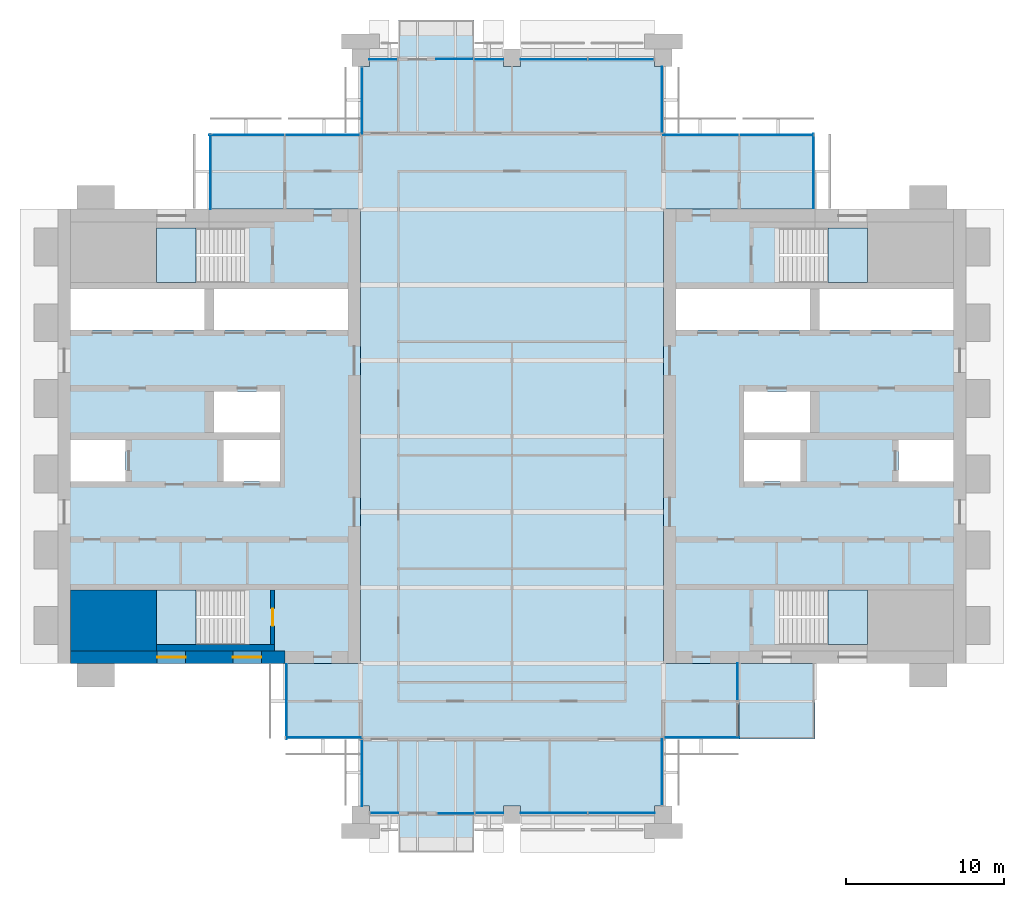
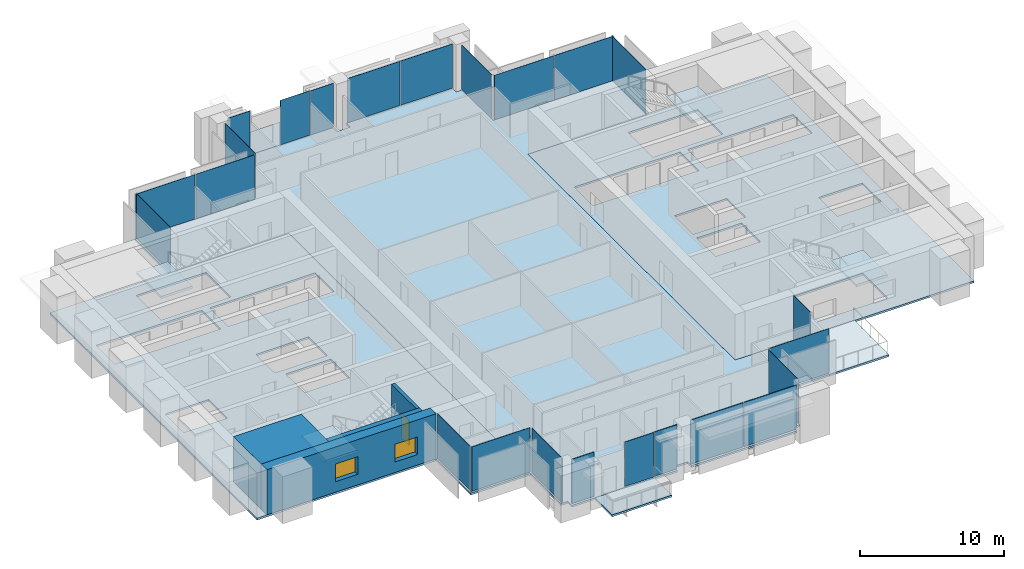
# One storey, part 7 of 14: 24 plates, 10 slabs, 4 walls, 2 windows, 1 door, 3 openings, 22 elements without a shape of their own.
"""IFC4 building model written with IfcOpenShell, lengths in metres."""

import ifcopenshell
import ifcopenshell.guid

model = None  # the IFC model being written
_history = None  # IfcOwnerHistory: only IFC2X3 demands one
_inside = {}  # id of a spatial element -> (the spatial element, [elements in it])
_under = {}  # id of a project, library or spatial element -> (it, [spatial elements below it])
_declared = {}  # id of a project -> (the project, [libraries it declares])
_typed = {}  # id of a type object -> (the type object, [elements of that type])
_made_of = {}  # id of a material, layer set ... -> (it, [elements and type objects made of it])


def new_model(schema):
    """Start an empty IFC model of exactly this schema.

    Asked for "IFC4X3", IfcOpenShell would pick the latest addendum, in which some entities
    have other attributes; the version numbers below select the first issue.
    IFC2X3 requires an IfcOwnerHistory on every rooted entity: one is made here for all.
    """
    global model, _history
    if schema == "IFC4X3":
        model = ifcopenshell.file(schema_version=(4, 3, 0, 0))
    else:
        model = ifcopenshell.file(schema=schema)
    _inside.clear()
    _under.clear()
    _declared.clear()
    _typed.clear()
    _made_of.clear()
    _history = None
    if model.schema == "IFC2X3":
        org = make("IfcOrganization", Name="unknown")
        user = make(
            "IfcPersonAndOrganization",
            ThePerson=make("IfcPerson", FamilyName="unknown"),
            TheOrganization=org,
        )
        app = make(
            "IfcApplication",
            ApplicationDeveloper=org,
            Version="unknown",
            ApplicationFullName="unknown",
            ApplicationIdentifier="unknown",
        )
        _history = make(
            "IfcOwnerHistory",
            OwningUser=user,
            OwningApplication=app,
            ChangeAction="ADDED",
            CreationDate=0,
        )
    return model


def make(cls, **values):
    """One entity of the class cls with the attributes given. An attribute that is None is left unset."""
    return model.create_entity(
        cls, **{name: value for name, value in values.items() if value is not None}
    )


def rooted(cls, **values):
    """An entity with a GlobalId (a new one), such as an element, a storey or a relation."""
    return make(cls, GlobalId=ifcopenshell.guid.new(), OwnerHistory=_history, **values)


def si_unit(unit_type, name, prefix=None):
    """IfcSIUnit, for example si_unit("LENGTHUNIT", "METRE", prefix="MILLI")."""
    return make("IfcSIUnit", UnitType=unit_type, Prefix=prefix, Name=name)


def assignment(units):
    """IfcUnitAssignment: the units of a project."""
    return None if units is None else make("IfcUnitAssignment", Units=units)


def point(xyz):
    """IfcCartesianPoint."""
    return None if xyz is None else make("IfcCartesianPoint", Coordinates=xyz)


def direction(xyz):
    """IfcDirection."""
    return None if xyz is None else make("IfcDirection", DirectionRatios=xyz)


def frame(location, z_axis=None, x_axis=None):
    """IfcAxis2Placement3D, a coordinate frame: its origin and axes. An axis left out is left unset."""
    return make(
        "IfcAxis2Placement3D",
        Location=point(location),
        Axis=direction(z_axis),
        RefDirection=direction(x_axis),
    )


def frame_2d(location, x_axis=None):
    """IfcAxis2Placement2D, a coordinate frame in the plane: its origin and x axis."""
    return make(
        "IfcAxis2Placement2D", Location=point(location), RefDirection=direction(x_axis)
    )


def origin():
    """The frame at (0, 0, 0) with its axes left unset."""
    return frame((0.0, 0.0, 0.0))


def origin_2d():
    """The frame at (0, 0) in the plane with its x axis left unset."""
    return frame_2d((0.0, 0.0))


def place(relative_to, where):
    """IfcLocalPlacement: puts the frame where relative to a parent placement (None: the world)."""
    return make(
        "IfcLocalPlacement", PlacementRelTo=relative_to, RelativePlacement=where
    )


def context(
    kind, dimensions, precision=None, world=None, true_north=None, identifier=None
):
    """IfcGeometricRepresentationContext, for example the 3D "Model" context."""
    return make(
        "IfcGeometricRepresentationContext",
        ContextIdentifier=identifier,
        ContextType=kind,
        CoordinateSpaceDimension=dimensions,
        Precision=precision,
        WorldCoordinateSystem=world,
        TrueNorth=true_north,
    )


def subcontext(parent, identifier, kind, view, scale=None):
    """IfcGeometricRepresentationSubContext, for example "Body" below "Model"."""
    return make(
        "IfcGeometricRepresentationSubContext",
        ContextIdentifier=identifier,
        ContextType=kind,
        ParentContext=parent,
        TargetScale=scale,
        TargetView=view,
    )


def project(units=None, contexts=None):
    """IfcProject with its units and contexts."""
    return rooted(
        "IfcProject",
        Name="project",
        RepresentationContexts=contexts,
        UnitsInContext=assignment(units),
    )


def spatial(cls, under=None, at=None, **own):
    """A site, building, storey or space (cls), placed at a placement, below another one or the project."""
    s = rooted(cls, ObjectPlacement=at, **own)
    if under is not None:
        _under.setdefault(under.id(), (under, []))[1].append(s)
    return s


def polyline(points):
    """IfcPolyline through the points."""
    return make("IfcPolyline", Points=[point(p) for p in points])


def profile(cls, at=None, kind="AREA", **sizes):
    """A parametric profile (cls). Its sizes go by their IFC names, for example OverallWidth=200.0."""
    return make(cls, ProfileType=kind, Position=at, **sizes)


def rectangle(**sizes):
    """IfcRectangleProfileDef."""
    return profile("IfcRectangleProfileDef", **sizes)


def outline(outer, holes=None, kind="AREA"):
    """IfcArbitraryClosedProfileDef: a profile drawn as a closed curve; with holes, ...WithVoids."""
    if holes is None:
        return make("IfcArbitraryClosedProfileDef", ProfileType=kind, OuterCurve=outer)
    return make(
        "IfcArbitraryProfileDefWithVoids",
        ProfileType=kind,
        OuterCurve=outer,
        InnerCurves=holes,
    )


def extrude(swept, where, along, depth):
    """IfcExtrudedAreaSolid: the profile swept, set in the frame where, extruded along a direction by depth."""
    return make(
        "IfcExtrudedAreaSolid",
        SweptArea=swept,
        Position=where,
        ExtrudedDirection=direction(along),
        Depth=depth,
    )


def shape(context_of_items, identifier, shape_type, items):
    """IfcShapeRepresentation: the items that make up one representation, for example the "Body"."""
    return make(
        "IfcShapeRepresentation",
        ContextOfItems=context_of_items,
        RepresentationIdentifier=identifier,
        RepresentationType=shape_type,
        Items=items,
    )


def material(Name=None, Category=None):
    """IfcMaterial."""
    return make("IfcMaterial", Name=Name, Category=Category)


def layer(
    of_material, thickness, ventilated=None, Name=None, Category=None, Priority=None
):
    """IfcMaterialLayer: one layer of a wall or slab, of a material (None: an air gap)."""
    return make(
        "IfcMaterialLayer",
        Material=of_material,
        LayerThickness=thickness,
        IsVentilated=ventilated,
        Name=Name,
        Category=Category,
        Priority=Priority,
    )


def layer_set(layers, Name=None):
    """IfcMaterialLayerSet."""
    return make("IfcMaterialLayerSet", MaterialLayers=layers, LayerSetName=Name)


def made_of(thing, what):
    """Note that an element or type object is made of a material, layer set ...; save() writes the relation."""
    if what is not None:
        _made_of.setdefault(what.id(), (what, []))[1].append(thing)
    return thing


def type_object(cls, material=None, **own):
    """A type object (cls), such as IfcWallType, which elements share."""
    return made_of(rooted(cls, **own), material)


def element(
    cls,
    number,
    at=None,
    inside=None,
    cuts=None,
    type_object=None,
    material=None,
    context=None,
    identifier="Body",
    shape_type=None,
    held_by="IfcProductDefinitionShape",
    body=None,
    shapes=None,
    **own,
):
    """One element of the class cls, such as IfcWall. Its Tag is "e" and its number.

    at: its placement. inside: the storey or other place that contains it. cuts: it is an
    opening in that element (IfcRelVoidsElement). A single representation is given by context,
    identifier, shape_type and body (its items); several are given by shapes. held_by: the class
    of the entity that holds the representations. save() writes the other relations.
    """
    e = rooted(cls, Tag="e%d" % number, ObjectPlacement=at, **own)
    if body is not None:
        shapes = [shape(context, identifier, shape_type, body)]
    if shapes is not None:
        e.Representation = make(held_by, Representations=shapes)
    if inside is not None:
        _inside.setdefault(inside.id(), (inside, []))[1].append(e)
    if cuts is not None:
        rooted(
            "IfcRelVoidsElement", RelatingBuildingElement=cuts, RelatedOpeningElement=e
        )
    if type_object is not None:
        _typed.setdefault(type_object.id(), (type_object, []))[1].append(e)
    return made_of(e, material)


def fill(opening, filler):
    """IfcRelFillsElement: the door or window that sits in an opening."""
    return rooted(
        "IfcRelFillsElement",
        RelatingOpeningElement=opening,
        RelatedBuildingElement=filler,
    )


def aggregate(whole, parts):
    """IfcRelAggregates: a whole, such as a stair, and the parts it consists of."""
    return rooted("IfcRelAggregates", RelatingObject=whole, RelatedObjects=parts)


def save(model, path):
    """Write the relations noted so far, then the file.

    IfcRelAggregates (storeys below a building ...), IfcRelContainedInSpatialStructure (elements
    in a storey), IfcRelDefinesByType, IfcRelAssociatesMaterial and IfcRelDeclares: one each for
    every whole, place, type object, material and project.
    """
    for whole, parts in _under.values():
        aggregate(whole, parts)
    for where, things in _inside.values():
        rooted(
            "IfcRelContainedInSpatialStructure",
            RelatedElements=things,
            RelatingStructure=where,
        )
    for kind, things in _typed.values():
        rooted("IfcRelDefinesByType", RelatedObjects=things, RelatingType=kind)
    for what, things in _made_of.values():
        rooted("IfcRelAssociatesMaterial", RelatedObjects=things, RelatingMaterial=what)
    for by, libraries in _declared.values():
        rooted("IfcRelDeclares", RelatingContext=by, RelatedDefinitions=libraries)
    model.write(path)


model = new_model("IFC4")

# Units and contexts
model_context = context("Model", 3, precision=1e-05, world=origin(), true_north=direction((0.0, 1.0)))
body_context = subcontext(model_context, "Body", "Model", "MODEL_VIEW")
ifc_project = project(units=[si_unit("LENGTHUNIT", "METRE"), si_unit("AREAUNIT", "SQUARE_METRE"), si_unit("VOLUMEUNIT", "CUBIC_METRE"), si_unit("PLANEANGLEUNIT", "RADIAN"), si_unit("MASSUNIT", "GRAM", prefix="KILO")], contexts=[model_context])

# Site, building, storey
site_placement = place(None, origin())
site = spatial("IfcSite", under=ifc_project, at=site_placement, CompositionType="ELEMENT")
building_placement = place(site_placement, origin())
building = spatial("IfcBuilding", under=site, at=building_placement, Name="Baori Bourse Tower", CompositionType="ELEMENT")
storey_placement = place(building_placement, frame((0.0, 0.0, 233.199951171875)))
storey = spatial("IfcBuildingStorey", under=building, at=storey_placement, Name="L51", CompositionType="ELEMENT", Elevation=233.199951171875)

# Slabs
ifc_material_1 = material(Name="Concrete f'c 40 MPa", Category="concrete")
ifc_layer_1 = layer(ifc_material_1, 0.159912109375)
ifc_layer_set_1 = layer_set([ifc_layer_1], Name="BL2 Balcony slab 160")
slab_type_1 = type_object("IfcSlabType", Name="BL2 Balcony slab 160", PredefinedType="FLOOR", material=ifc_layer_set_1)
slab_1_placement = place(storey_placement, frame((0.0, 0.0, -0.159912109375)))
element("IfcSlab", 1, at=slab_1_placement, inside=storey, type_object=slab_type_1, Name="Balcony slab L51 S", PredefinedType="FLOOR", context=body_context, shape_type="SweptSolid", body=[
    extrude(outline(polyline([(21.60009765625, 0.0), (21.60009765625, -2.39990234375), (26.39990234375, -2.39990234375), (26.39990234375, 0.0), (21.60009765625, 0.0)])), origin(), (0.0, 0.0, 1.0), 0.159912109375),
])
slab_2_placement = place(storey_placement, frame((0.0, 0.0, -0.159912109375)))
element("IfcSlab", 2, at=slab_2_placement, inside=storey, type_object=slab_type_1, Name="Balcony slab L51 N", PredefinedType="FLOOR", context=body_context, shape_type="SweptSolid", body=[
    extrude(outline(polyline([(21.60009765625, 48.0), (26.39990234375, 48.0), (26.39990234375, 50.39990234375), (21.60009765625, 50.39990234375), (21.60009765625, 48.0)])), origin(), (0.0, 0.0, 1.0), 0.159912109375),
])

# Curtain wall, plate
ifc_material_2 = material(Name="Pale anodised aluminium", Category="aluminium")
curtain_wall_type_1 = type_object("IfcCurtainWallType", Name="CW2 Curtain wall", PredefinedType="NOTDEFINED", material=ifc_material_2)
curtain_wall_1_placement = place(storey_placement, origin())
curtain_wall_1 = element("IfcCurtainWall", 3, at=curtain_wall_1_placement, inside=storey, type_object=curtain_wall_type_1, Name="Curtain wall CW2 L51 1", PredefinedType="NOTDEFINED")
ifc_material_3 = material(Name="Clear glass", Category="glass")
ifc_layer_2 = layer(ifc_material_3, 0.030029296875)
ifc_layer_set_2 = layer_set([ifc_layer_2], Name="CW2 Curtain wall panel")
plate_type_1 = type_object("IfcPlateType", Name="CW2 Curtain wall panel", PredefinedType="CURTAIN_PANEL", material=ifc_layer_set_2)
plate_1_placement = place(storey_placement, frame((47.909912109375, 40.827392578125, 0.070068359375), z_axis=(0.0, 0.0, 1.0), x_axis=(0.0, 1.0, 0.0)))
plate_1 = element("IfcPlate", 4, at=plate_1_placement, type_object=plate_type_1, Name="Curtain wall CW2 panel", PredefinedType="CURTAIN_PANEL", context=body_context, shape_type="SweptSolid", body=[
    extrude(rectangle(XDim=4.7451171875, YDim=0.030029296875, at=origin_2d()), origin(), (0.0, 0.0, 1.0), 3.77001953125),
])
aggregate(curtain_wall_1, [plate_1])

# Curtain wall, plates
curtain_wall_2_placement = place(storey_placement, origin())
curtain_wall_2 = element("IfcCurtainWall", 5, at=curtain_wall_2_placement, inside=storey, type_object=curtain_wall_type_1, Name="Curtain wall CW2 L51 2", PredefinedType="NOTDEFINED")
plate_2_placement = place(storey_placement, frame((45.586181640625, 43.110107421875, 0.070068359375), z_axis=(0.0, 0.0, 1.0), x_axis=(-1.0, 0.0, 0.0)))
plate_2 = element("IfcPlate", 6, at=plate_2_placement, type_object=plate_type_1, Name="Curtain wall CW2 panel", PredefinedType="CURTAIN_PANEL", context=body_context, shape_type="SweptSolid", body=[
    extrude(rectangle(XDim=4.717529296875, YDim=0.030029296875, at=origin_2d()), origin(), (0.0, 0.0, 1.0), 3.77001953125),
])
plate_3_placement = place(storey_placement, frame((40.7861328125, 43.110107421875, 0.070068359375), z_axis=(0.0, 0.0, 1.0), x_axis=(-1.0, 0.0, 0.0)))
plate_3 = element("IfcPlate", 7, at=plate_3_placement, type_object=plate_type_1, Name="Curtain wall CW2 panel", PredefinedType="CURTAIN_PANEL", context=body_context, shape_type="SweptSolid", body=[
    extrude(rectangle(XDim=4.7724609375, YDim=0.030029296875, at=origin_2d()), origin(), (0.0, 0.0, 1.0), 3.77001953125),
])
aggregate(curtain_wall_2, [plate_2, plate_3])

# Curtain wall, plate
curtain_wall_3_placement = place(storey_placement, origin())
curtain_wall_3 = element("IfcCurtainWall", 8, at=curtain_wall_3_placement, inside=storey, type_object=curtain_wall_type_1, Name="Curtain wall CW2 L51 3", PredefinedType="NOTDEFINED")
plate_4_placement = place(storey_placement, frame((38.31005859375, 45.3525390625, 0.070068359375), z_axis=(0.0, 0.0, 1.0), x_axis=(0.0, 1.0, 0.0)))
plate_4 = element("IfcPlate", 9, at=plate_4_placement, type_object=plate_type_1, Name="Curtain wall CW2 panel", PredefinedType="CURTAIN_PANEL", context=body_context, shape_type="SweptSolid", body=[
    extrude(rectangle(XDim=4.195068359375, YDim=0.030029296875, at=origin_2d()), origin(), (0.0, 0.0, 1.0), 3.77001953125),
])
aggregate(curtain_wall_3, [plate_4])

curtain_wall_4_placement = place(storey_placement, origin())
curtain_wall_4 = element("IfcCurtainWall", 10, at=curtain_wall_4_placement, inside=storey, type_object=curtain_wall_type_1, Name="Curtain wall CW2 L51 7", PredefinedType="NOTDEFINED")
plate_5_placement = place(storey_placement, frame((19.2900390625, 45.297607421875, 0.070068359375), z_axis=(0.0, 0.0, 1.0), x_axis=(0.0, -1.0, 0.0)))
plate_5 = element("IfcPlate", 11, at=plate_5_placement, type_object=plate_type_1, Name="Curtain wall CW2 panel", PredefinedType="CURTAIN_PANEL", context=body_context, shape_type="SweptSolid", body=[
    extrude(rectangle(XDim=4.195068359375, YDim=0.030029296875, at=origin_2d()), origin(), (0.0, 0.0, 1.0), 3.77001953125),
])
aggregate(curtain_wall_4, [plate_5])

# Curtain wall, plates
curtain_wall_5_placement = place(storey_placement, origin())
curtain_wall_5 = element("IfcCurtainWall", 12, at=curtain_wall_5_placement, inside=storey, type_object=curtain_wall_type_1, Name="Curtain wall CW2 L51 8", PredefinedType="NOTDEFINED")
plate_6_placement = place(storey_placement, frame((16.7861328125, 43.110107421875, 0.070068359375), z_axis=(0.0, 0.0, 1.0), x_axis=(-1.0, 0.0, 0.0)))
plate_6 = element("IfcPlate", 13, at=plate_6_placement, type_object=plate_type_1, Name="Curtain wall CW2 panel", PredefinedType="CURTAIN_PANEL", context=body_context, shape_type="SweptSolid", body=[
    extrude(rectangle(XDim=4.717529296875, YDim=0.030029296875, at=origin_2d()), origin(), (0.0, 0.0, 1.0), 3.77001953125),
])
plate_7_placement = place(storey_placement, frame((11.986328125, 43.110107421875, 0.070068359375), z_axis=(0.0, 0.0, 1.0), x_axis=(-1.0, 0.0, 0.0)))
plate_7 = element("IfcPlate", 14, at=plate_7_placement, type_object=plate_type_1, Name="Curtain wall CW2 panel", PredefinedType="CURTAIN_PANEL", context=body_context, shape_type="SweptSolid", body=[
    extrude(rectangle(XDim=4.7724609375, YDim=0.030029296875, at=origin_2d()), origin(), (0.0, 0.0, 1.0), 3.77001953125),
])
aggregate(curtain_wall_5, [plate_6, plate_7])

# Curtain wall, plate
curtain_wall_6_placement = place(storey_placement, origin())
curtain_wall_6 = element("IfcCurtainWall", 15, at=curtain_wall_6_placement, inside=storey, type_object=curtain_wall_type_1, Name="Curtain wall CW2 L51 9", PredefinedType="NOTDEFINED")
plate_8_placement = place(storey_placement, frame((9.68994140625, 40.7724609375, 0.070068359375), z_axis=(0.0, 0.0, 1.0), x_axis=(0.0, -1.0, 0.0)))
plate_8 = element("IfcPlate", 16, at=plate_8_placement, type_object=plate_type_1, Name="Curtain wall CW2 panel", PredefinedType="CURTAIN_PANEL", context=body_context, shape_type="SweptSolid", body=[
    extrude(rectangle(XDim=4.7451171875, YDim=0.030029296875, at=origin_2d()), origin(), (0.0, 0.0, 1.0), 3.77001953125),
])
aggregate(curtain_wall_6, [plate_8])

curtain_wall_7_placement = place(storey_placement, origin())
curtain_wall_7 = element("IfcCurtainWall", 17, at=curtain_wall_7_placement, inside=storey, type_object=curtain_wall_type_1, Name="Curtain wall CW2 L51 10", PredefinedType="NOTDEFINED")
plate_9_placement = place(storey_placement, frame((14.489990234375, 7.172607421875, 0.070068359375), z_axis=(0.0, 0.0, 1.0), x_axis=(0.0, -1.0, 0.0)))
plate_9 = element("IfcPlate", 18, at=plate_9_placement, type_object=plate_type_1, Name="Curtain wall CW2 panel", PredefinedType="CURTAIN_PANEL", context=body_context, shape_type="SweptSolid", body=[
    extrude(rectangle(XDim=4.7451171875, YDim=0.030029296875, at=origin_2d()), origin(), (0.0, 0.0, 1.0), 3.77001953125),
])
aggregate(curtain_wall_7, [plate_9])

curtain_wall_8_placement = place(storey_placement, origin())
curtain_wall_8 = element("IfcCurtainWall", 19, at=curtain_wall_8_placement, inside=storey, type_object=curtain_wall_type_1, Name="Curtain wall CW2 L51 11", PredefinedType="NOTDEFINED")
plate_10_placement = place(storey_placement, frame((16.827392578125, 4.889892578125, 0.070068359375), z_axis=(0.0, 0.0, 1.0), x_axis=(1.0, 0.0, 0.0)))
plate_10 = element("IfcPlate", 20, at=plate_10_placement, type_object=plate_type_1, Name="Curtain wall CW2 panel", PredefinedType="CURTAIN_PANEL", context=body_context, shape_type="SweptSolid", body=[
    extrude(rectangle(XDim=4.7451171875, YDim=0.030029296875, at=origin_2d()), origin(), (0.0, 0.0, 1.0), 3.77001953125),
])
aggregate(curtain_wall_8, [plate_10])

curtain_wall_9_placement = place(storey_placement, origin())
curtain_wall_9 = element("IfcCurtainWall", 21, at=curtain_wall_9_placement, inside=storey, type_object=curtain_wall_type_1, Name="Curtain wall CW2 L51 12", PredefinedType="NOTDEFINED")
plate_11_placement = place(storey_placement, frame((19.2900390625, 2.6474609375, 0.070068359375), z_axis=(0.0, 0.0, 1.0), x_axis=(0.0, -1.0, 0.0)))
plate_11 = element("IfcPlate", 22, at=plate_11_placement, type_object=plate_type_1, Name="Curtain wall CW2 panel", PredefinedType="CURTAIN_PANEL", context=body_context, shape_type="SweptSolid", body=[
    extrude(rectangle(XDim=4.195068359375, YDim=0.030029296875, at=origin_2d()), origin(), (0.0, 0.0, 1.0), 3.77001953125),
])
aggregate(curtain_wall_9, [plate_11])

curtain_wall_10_placement = place(storey_placement, origin())
curtain_wall_10 = element("IfcCurtainWall", 23, at=curtain_wall_10_placement, inside=storey, type_object=curtain_wall_type_1, Name="Curtain wall CW2 L51 16", PredefinedType="NOTDEFINED")
plate_12_placement = place(storey_placement, frame((38.31005859375, 2.702392578125, 0.070068359375), z_axis=(0.0, 0.0, 1.0), x_axis=(0.0, 1.0, 0.0)))
plate_12 = element("IfcPlate", 24, at=plate_12_placement, type_object=plate_type_1, Name="Curtain wall CW2 panel", PredefinedType="CURTAIN_PANEL", context=body_context, shape_type="SweptSolid", body=[
    extrude(rectangle(XDim=4.195068359375, YDim=0.030029296875, at=origin_2d()), origin(), (0.0, 0.0, 1.0), 3.77001953125),
])
aggregate(curtain_wall_10, [plate_12])

curtain_wall_11_placement = place(storey_placement, origin())
curtain_wall_11 = element("IfcCurtainWall", 25, at=curtain_wall_11_placement, inside=storey, type_object=curtain_wall_type_1, Name="Curtain wall CW2 L51 17", PredefinedType="NOTDEFINED")
plate_13_placement = place(storey_placement, frame((40.827392578125, 4.889892578125, 0.070068359375), z_axis=(0.0, 0.0, 1.0), x_axis=(1.0, 0.0, 0.0)))
plate_13 = element("IfcPlate", 26, at=plate_13_placement, type_object=plate_type_1, Name="Curtain wall CW2 panel", PredefinedType="CURTAIN_PANEL", context=body_context, shape_type="SweptSolid", body=[
    extrude(rectangle(XDim=4.7451171875, YDim=0.030029296875, at=origin_2d()), origin(), (0.0, 0.0, 1.0), 3.77001953125),
])
aggregate(curtain_wall_11, [plate_13])

curtain_wall_12_placement = place(storey_placement, origin())
curtain_wall_12 = element("IfcCurtainWall", 27, at=curtain_wall_12_placement, inside=storey, type_object=curtain_wall_type_1, Name="Curtain wall CW2 L51 18", PredefinedType="NOTDEFINED")
plate_14_placement = place(storey_placement, frame((43.110107421875, 8.427490234375, 0.070068359375), z_axis=(0.0, 0.0, 1.0), x_axis=(0.0, 1.0, 0.0)))
plate_14 = element("IfcPlate", 28, at=plate_14_placement, type_object=plate_type_1, Name="Curtain wall CW2 panel", PredefinedType="CURTAIN_PANEL", context=body_context, shape_type="SweptSolid", body=[
    extrude(rectangle(XDim=2.344970703125, YDim=0.030029296875, at=origin_2d()), origin(), (0.0, 0.0, 1.0), 3.77001953125),
])
aggregate(curtain_wall_12, [plate_14])

# Curtain wall, plates
ifc_material_4 = material(Name="Pale anodised aluminium", Category="aluminium")
curtain_wall_type_2 = type_object("IfcCurtainWallType", Name="CW5 Curtain wall", PredefinedType="NOTDEFINED", material=ifc_material_4)
curtain_wall_13_placement = place(storey_placement, origin())
curtain_wall_13 = element("IfcCurtainWall", 29, at=curtain_wall_13_placement, inside=storey, type_object=curtain_wall_type_2, Name="Curtain wall CW5 L51 4", PredefinedType="NOTDEFINED")
ifc_material_5 = material(Name="Clear glass", Category="glass")
ifc_layer_3 = layer(ifc_material_5, 0.035888671875)
ifc_layer_set_3 = layer_set([ifc_layer_3], Name="CW5 Curtain wall panel")
plate_type_2 = type_object("IfcPlateType", Name="CW5 Curtain wall panel", PredefinedType="CURTAIN_PANEL", material=ifc_layer_set_3)
plate_15_placement = place(storey_placement, frame((35.708740234375, 47.889892578125, 0.085205078125), z_axis=(0.0, 0.0, 1.0), x_axis=(-1.0, 0.0, 0.0)))
plate_15 = element("IfcPlate", 30, at=plate_15_placement, type_object=plate_type_2, Name="Curtain wall CW5 panel", PredefinedType="CURTAIN_PANEL", context=body_context, shape_type="SweptSolid", body=[
    extrude(rectangle(XDim=4.152587890625, YDim=0.035888671875, at=origin_2d()), origin(), (0.0, 0.0, 1.0), 3.7548828125),
])
plate_16_placement = place(storey_placement, frame((31.458740234375, 47.889892578125, 0.085205078125), z_axis=(0.0, 0.0, 1.0), x_axis=(-1.0, 0.0, 0.0)))
plate_16 = element("IfcPlate", 31, at=plate_16_placement, type_object=plate_type_2, Name="Curtain wall CW5 panel", PredefinedType="CURTAIN_PANEL", context=body_context, shape_type="SweptSolid", body=[
    extrude(rectangle(XDim=4.217529296875, YDim=0.035888671875, at=origin_2d()), origin(), (0.0, 0.0, 1.0), 3.7548828125),
])
plate_17_placement = place(storey_placement, frame((27.324951171875, 47.889892578125, 0.085205078125), z_axis=(0.0, 0.0, 1.0), x_axis=(-1.0, 0.0, 0.0)))
plate_17 = element("IfcPlate", 32, at=plate_17_placement, type_object=plate_type_2, Name="Curtain wall CW5 panel", PredefinedType="CURTAIN_PANEL", context=body_context, shape_type="SweptSolid", body=[
    extrude(rectangle(XDim=1.85009765625, YDim=0.035888671875, at=origin_2d()), origin(), (0.0, 0.0, 1.0), 3.7548828125),
])
aggregate(curtain_wall_13, [plate_15, plate_16, plate_17])

# Curtain wall, plate
curtain_wall_14_placement = place(storey_placement, origin())
curtain_wall_14 = element("IfcCurtainWall", 33, at=curtain_wall_14_placement, inside=storey, type_object=curtain_wall_type_2, Name="Curtain wall CW5 L51 6", PredefinedType="NOTDEFINED")
plate_18_placement = place(storey_placement, frame((20.642578125, 47.889892578125, 0.085205078125), z_axis=(0.0, 0.0, 1.0), x_axis=(-1.0, 0.0, 0.0)))
plate_18 = element("IfcPlate", 34, at=plate_18_placement, type_object=plate_type_2, Name="Curtain wall CW5 panel", PredefinedType="CURTAIN_PANEL", context=body_context, shape_type="SweptSolid", body=[
    extrude(rectangle(XDim=1.784912109375, YDim=0.035888671875, at=origin_2d()), origin(), (0.0, 0.0, 1.0), 3.7548828125),
])
aggregate(curtain_wall_14, [plate_18])

curtain_wall_15_placement = place(storey_placement, origin())
curtain_wall_15 = element("IfcCurtainWall", 35, at=curtain_wall_15_placement, inside=storey, type_object=curtain_wall_type_2, Name="Curtain wall CW5 L51 13", PredefinedType="NOTDEFINED")
plate_19_placement = place(storey_placement, frame((20.70751953125, 0.110107421875, 0.085205078125), z_axis=(0.0, 0.0, 1.0), x_axis=(1.0, 0.0, 0.0)))
plate_19 = element("IfcPlate", 36, at=plate_19_placement, type_object=plate_type_2, Name="Curtain wall CW5 panel", PredefinedType="CURTAIN_PANEL", context=body_context, shape_type="SweptSolid", body=[
    extrude(rectangle(XDim=1.784912109375, YDim=0.035888671875, at=origin_2d()), origin(), (0.0, 0.0, 1.0), 3.7548828125),
])
aggregate(curtain_wall_15, [plate_19])

# Curtain wall, plates
curtain_wall_16_placement = place(storey_placement, origin())
curtain_wall_16 = element("IfcCurtainWall", 37, at=curtain_wall_16_placement, inside=storey, type_object=curtain_wall_type_2, Name="Curtain wall CW5 L51 15", PredefinedType="NOTDEFINED")
plate_20_placement = place(storey_placement, frame((27.357421875, 0.110107421875, 0.085205078125), z_axis=(0.0, 0.0, 1.0), x_axis=(1.0, 0.0, 0.0)))
plate_20 = element("IfcPlate", 38, at=plate_20_placement, type_object=plate_type_2, Name="Curtain wall CW5 panel", PredefinedType="CURTAIN_PANEL", context=body_context, shape_type="SweptSolid", body=[
    extrude(rectangle(XDim=1.784912109375, YDim=0.035888671875, at=origin_2d()), origin(), (0.0, 0.0, 1.0), 3.7548828125),
])
plate_21_placement = place(storey_placement, frame((31.458740234375, 0.110107421875, 0.085205078125), z_axis=(0.0, 0.0, 1.0), x_axis=(1.0, 0.0, 0.0)))
plate_21 = element("IfcPlate", 39, at=plate_21_placement, type_object=plate_type_2, Name="Curtain wall CW5 panel", PredefinedType="CURTAIN_PANEL", context=body_context, shape_type="SweptSolid", body=[
    extrude(rectangle(XDim=4.217529296875, YDim=0.035888671875, at=origin_2d()), origin(), (0.0, 0.0, 1.0), 3.7548828125),
])
plate_22_placement = place(storey_placement, frame((35.7412109375, 0.110107421875, 0.085205078125), z_axis=(0.0, 0.0, 1.0), x_axis=(1.0, 0.0, 0.0)))
plate_22 = element("IfcPlate", 40, at=plate_22_placement, type_object=plate_type_2, Name="Curtain wall CW5 panel", PredefinedType="CURTAIN_PANEL", context=body_context, shape_type="SweptSolid", body=[
    extrude(rectangle(XDim=4.217529296875, YDim=0.035888671875, at=origin_2d()), origin(), (0.0, 0.0, 1.0), 3.7548828125),
])
aggregate(curtain_wall_16, [plate_20, plate_21, plate_22])

# Curtain wall, plate
ifc_material_6 = material(Name="Pale anodised aluminium", Category="aluminium")
curtain_wall_type_3 = type_object("IfcCurtainWallType", Name="CW6 Curtain wall", PredefinedType="NOTDEFINED", material=ifc_material_6)
curtain_wall_17_placement = place(storey_placement, origin())
curtain_wall_17 = element("IfcCurtainWall", 41, at=curtain_wall_17_placement, inside=storey, type_object=curtain_wall_type_3, Name="Curtain wall CW6 L51 5", PredefinedType="NOTDEFINED")
ifc_material_7 = material(Name="Clear glass", Category="glass")
ifc_layer_4 = layer(ifc_material_7, 0.028076171875)
ifc_layer_set_4 = layer_set([ifc_layer_4], Name="CW6 Curtain wall panel")
plate_type_3 = type_object("IfcPlateType", Name="CW6 Curtain wall panel", PredefinedType="CURTAIN_PANEL", material=ifc_layer_set_4)
plate_23_placement = place(storey_placement, frame((25.175048828125, 47.925048828125, 0.065185546875), z_axis=(0.0, 0.0, 1.0), x_axis=(-1.0, 0.0, 0.0)))
plate_23 = element("IfcPlate", 42, at=plate_23_placement, type_object=plate_type_3, Name="Curtain wall CW6 panel", PredefinedType="CURTAIN_PANEL", context=body_context, shape_type="SweptSolid", body=[
    extrude(rectangle(XDim=2.35009765625, YDim=0.028076171875, at=origin_2d()), origin(), (0.0, 0.0, 1.0), 3.77490234375),
])
aggregate(curtain_wall_17, [plate_23])

curtain_wall_18_placement = place(storey_placement, origin())
curtain_wall_18 = element("IfcCurtainWall", 43, at=curtain_wall_18_placement, inside=storey, type_object=curtain_wall_type_3, Name="Curtain wall CW6 L51 14", PredefinedType="NOTDEFINED")
plate_24_placement = place(storey_placement, frame((25.22509765625, 0.074951171875, 0.065185546875), z_axis=(0.0, 0.0, 1.0), x_axis=(1.0, 0.0, 0.0)))
plate_24 = element("IfcPlate", 44, at=plate_24_placement, type_object=plate_type_3, Name="Curtain wall CW6 panel", PredefinedType="CURTAIN_PANEL", context=body_context, shape_type="SweptSolid", body=[
    extrude(rectangle(XDim=2.35009765625, YDim=0.028076171875, at=origin_2d()), origin(), (0.0, 0.0, 1.0), 3.77490234375),
])
aggregate(curtain_wall_18, [plate_24])

# Slabs
ifc_material_8 = material(Name="Concrete f'c 50 MPa", Category="concrete")
ifc_layer_5 = layer(ifc_material_8, 0.159912109375)
ifc_layer_set_5 = layer_set([ifc_layer_5], Name="Core slab 160")
slab_type_2 = type_object("IfcSlabType", Name="Core slab 160", PredefinedType="FLOOR", material=ifc_layer_set_5)
slab_3_placement = place(storey_placement, frame((0.0, 0.0, -0.159912109375)))
element("IfcSlab", 45, at=slab_3_placement, inside=storey, type_object=slab_type_2, Name="Core floor slab W01", PredefinedType="FLOOR", context=body_context, shape_type="SweptSolid", body=[
    extrude(outline(polyline([(19.199951171875, 38.39990234375), (0.0, 38.39990234375), (0.0, 9.60009765625), (19.199951171875, 9.60009765625), (19.199951171875, 38.39990234375)]), holes=[polyline([(9.89990234375, 33.35009765625), (18.39990234375, 33.35009765625), (18.39990234375, 30.75), (9.89990234375, 30.75), (9.89990234375, 33.35009765625)]), polyline([(10.5, 21.14990234375), (10.5, 23.75), (14.10009765625, 23.75), (14.10009765625, 21.14990234375), (10.5, 21.14990234375)]), polyline([(14.10009765625, 24.25), (9.89990234375, 24.25), (9.89990234375, 26.85009765625), (14.10009765625, 26.85009765625), (14.10009765625, 24.25)]), polyline([(6.25, 14.25), (11.84912109375, 14.25), (11.84912109375, 10.800048828125), (6.25, 10.800048828125), (6.25, 14.25)]), polyline([(11.84912109375, 37.199951171875), (11.84912109375, 33.75), (6.25, 33.75), (6.25, 37.199951171875), (11.84912109375, 37.199951171875)]), polyline([(0.800048828125, 30.75), (0.800048828125, 33.35009765625), (9.300048828125, 33.35009765625), (9.300048828125, 30.75), (0.800048828125, 30.75)]), polyline([(4.300048828125, 23.75), (4.300048828125, 21.14990234375), (0.800048828125, 21.14990234375), (0.800048828125, 23.75), (4.300048828125, 23.75)])]), origin(), (0.0, 0.0, 1.0), 0.159912109375),
])
slab_4_placement = place(storey_placement, frame((0.0, 0.0, -0.159912109375)))
element("IfcSlab", 46, at=slab_4_placement, inside=storey, type_object=slab_type_2, Name="Core floor slab E01", PredefinedType="FLOOR", context=body_context, shape_type="SweptSolid", body=[
    extrude(outline(polyline([(57.60009765625, 9.60009765625), (57.60009765625, 38.39990234375), (38.39990234375, 38.39990234375), (38.39990234375, 9.60009765625), (57.60009765625, 9.60009765625)]), holes=[polyline([(48.300048828125, 33.35009765625), (56.800048828125, 33.35009765625), (56.800048828125, 30.75), (48.300048828125, 30.75), (48.300048828125, 33.35009765625)]), polyline([(56.800048828125, 21.14990234375), (53.300048828125, 21.14990234375), (53.300048828125, 23.75), (56.800048828125, 23.75), (56.800048828125, 21.14990234375)]), polyline([(45.750732421875, 14.25), (51.35009765625, 14.25), (51.35009765625, 10.800048828125), (45.750732421875, 10.800048828125), (45.750732421875, 14.25)]), polyline([(51.35009765625, 37.199951171875), (51.35009765625, 33.75), (45.750732421875, 33.75), (45.750732421875, 37.199951171875), (51.35009765625, 37.199951171875)]), polyline([(43.5, 24.25), (43.5, 26.85009765625), (47.699951171875, 26.85009765625), (47.699951171875, 24.25), (43.5, 24.25)]), polyline([(47.699951171875, 33.35009765625), (47.699951171875, 30.75), (39.199951171875, 30.75), (39.199951171875, 33.35009765625), (47.699951171875, 33.35009765625)]), polyline([(43.5, 23.75), (47.10009765625, 23.75), (47.10009765625, 21.14990234375), (43.5, 21.14990234375), (43.5, 23.75)])]), origin(), (0.0, 0.0, 1.0), 0.159912109375),
])

# Stair, slab
ifc_material_9 = material(Name="Concrete f'c 50 MPa", Category="concrete")
stair_type = type_object("IfcStairType", Name="Core stair", PredefinedType="HALF_TURN_STAIR", material=ifc_material_9)
stair_1_placement = place(storey_placement, origin())
stair_1 = element("IfcStair", 47, at=stair_1_placement, inside=storey, type_object=stair_type, Name="L51 Stair WA", PredefinedType="HALF_TURN_STAIR")
ifc_material_10 = material(Name="Concrete f'c 50 MPa", Category="concrete")
slab_type_3 = type_object("IfcSlabType", Name="Core stair landing", PredefinedType="LANDING", material=ifc_material_10)
slab_5_placement = place(storey_placement, frame((0.0, 0.0, 1.800048828125)))
slab_5 = element("IfcSlab", 48, at=slab_5_placement, type_object=slab_type_3, Name="ST1 landing 1", PredefinedType="LANDING", context=body_context, shape_type="SweptSolid", body=[
    extrude(outline(polyline([(8.77001953125, 14.25), (6.25, 14.25), (6.25, 10.800048828125), (8.77001953125, 10.800048828125), (8.77001953125, 14.25)])), origin(), (0.0, 0.0, 1.0), 0.199951171875),
])
aggregate(stair_1, [slab_5])

stair_2_placement = place(storey_placement, origin())
stair_2 = element("IfcStair", 49, at=stair_2_placement, inside=storey, type_object=stair_type, Name="L51 Stair WB", PredefinedType="HALF_TURN_STAIR")
slab_6_placement = place(storey_placement, frame((0.0, 0.0, 1.800048828125)))
slab_6 = element("IfcSlab", 50, at=slab_6_placement, type_object=slab_type_3, Name="ST2 landing 1", PredefinedType="LANDING", context=body_context, shape_type="SweptSolid", body=[
    extrude(outline(polyline([(8.77001953125, 37.199951171875), (6.25, 37.199951171875), (6.25, 33.75), (8.77001953125, 33.75), (8.77001953125, 37.199951171875)])), origin(), (0.0, 0.0, 1.0), 0.199951171875),
])
aggregate(stair_2, [slab_6])

stair_3_placement = place(storey_placement, origin())
stair_3 = element("IfcStair", 51, at=stair_3_placement, inside=storey, type_object=stair_type, Name="L51 Stair EA", PredefinedType="HALF_TURN_STAIR")
slab_7_placement = place(storey_placement, frame((0.0, 0.0, 1.800048828125)))
slab_7 = element("IfcSlab", 52, at=slab_7_placement, type_object=slab_type_3, Name="ST3 landing 1", PredefinedType="LANDING", context=body_context, shape_type="SweptSolid", body=[
    extrude(outline(polyline([(48.830078125, 10.800048828125), (51.35009765625, 10.800048828125), (51.35009765625, 14.25), (48.830078125, 14.25), (48.830078125, 10.800048828125)])), origin(), (0.0, 0.0, 1.0), 0.199951171875),
])
aggregate(stair_3, [slab_7])

stair_4_placement = place(storey_placement, origin())
stair_4 = element("IfcStair", 53, at=stair_4_placement, inside=storey, type_object=stair_type, Name="L51 Stair EB", PredefinedType="HALF_TURN_STAIR")
slab_8_placement = place(storey_placement, frame((0.0, 0.0, 1.800048828125)))
slab_8 = element("IfcSlab", 54, at=slab_8_placement, type_object=slab_type_3, Name="ST4 landing 1", PredefinedType="LANDING", context=body_context, shape_type="SweptSolid", body=[
    extrude(outline(polyline([(48.830078125, 33.75), (51.35009765625, 33.75), (51.35009765625, 37.199951171875), (48.830078125, 37.199951171875), (48.830078125, 33.75)])), origin(), (0.0, 0.0, 1.0), 0.199951171875),
])
aggregate(stair_4, [slab_8])

# Slabs
ifc_material_11 = material(Name="Concrete f'c 40 MPa", Category="concrete")
ifc_layer_6 = layer(ifc_material_11, 0.159912109375)
ifc_layer_set_6 = layer_set([ifc_layer_6], Name="Floor slab 160")
slab_type_4 = type_object("IfcSlabType", Name="Floor slab 160", PredefinedType="FLOOR", material=ifc_layer_set_6)
slab_9_placement = place(storey_placement, frame((0.0, 0.0, -0.159912109375)))
element("IfcSlab", 55, at=slab_9_placement, inside=storey, type_object=slab_type_4, Name="Floor slab L51", PredefinedType="FLOOR", context=body_context, shape_type="SweptSolid", body=[
    extrude(outline(polyline([(19.199951171875, 4.800048828125), (14.39990234375, 4.800048828125), (14.39990234375, 9.60009765625), (19.199951171875, 9.60009765625), (19.199951171875, 38.39990234375), (9.60009765625, 38.39990234375), (9.60009765625, 43.199951171875), (19.199951171875, 43.199951171875), (19.199951171875, 47.449951171875), (19.75, 47.449951171875), (19.75, 48.0), (28.25, 48.0), (28.25, 47.449951171875), (29.35009765625, 47.449951171875), (29.35009765625, 48.0), (37.85009765625, 48.0), (37.85009765625, 47.449951171875), (38.39990234375, 47.449951171875), (38.39990234375, 43.199951171875), (48.0, 43.199951171875), (48.0, 38.39990234375), (38.39990234375, 38.39990234375), (38.39990234375, 9.60009765625), (43.199951171875, 9.60009765625), (43.199951171875, 4.800048828125), (38.39990234375, 4.800048828125), (38.39990234375, 0.550048828125), (37.85009765625, 0.550048828125), (37.85009765625, 0.0), (29.35009765625, 0.0), (29.35009765625, 0.550048828125), (28.25, 0.550048828125), (28.25, 0.0), (19.75, 0.0), (19.75, 0.550048828125), (19.199951171875, 0.550048828125), (19.199951171875, 4.800048828125)])), origin(), (0.0, 0.0, 1.0), 0.159912109375),
])
ifc_material_12 = material(Name="Concrete f'c 40 MPa", Category="concrete")
ifc_layer_7 = layer(ifc_material_12, 0.159912109375)
ifc_layer_set_7 = layer_set([ifc_layer_7], Name="Terrace slab 160")
slab_type_5 = type_object("IfcSlabType", Name="Terrace slab 160", PredefinedType="ROOF", material=ifc_layer_set_7)
slab_10_placement = place(storey_placement, frame((0.0, 0.0, -0.159912109375)))
element("IfcSlab", 56, at=slab_10_placement, inside=storey, type_object=slab_type_5, Name="Terrace slab SE L51", PredefinedType="ROOF", context=body_context, shape_type="SweptSolid", body=[
    extrude(outline(polyline([(47.9970703125, 9.596923828125), (47.9970703125, 4.802978515625), (43.202880859375, 4.802978515625), (43.202880859375, 9.596923828125), (47.9970703125, 9.596923828125)])), origin(), (0.0, 0.0, 1.0), 0.159912109375),
])

# Wall
ifc_material_13 = material(Name="Concrete f'c 50 MPa", Category="concrete")
wall_type_1 = type_object("IfcWallType", Name="Core corner block f'c 50", PredefinedType="SHEAR", material=ifc_material_13)
wall_1_placement = place(storey_placement, frame((0.800048828125, 12.324951171875, 0.0), z_axis=(0.0, 0.0, 1.0), x_axis=(1.0, 0.0, 0.0)))
element("IfcWall", 57, at=wall_1_placement, inside=storey, type_object=wall_type_1, Name="Core wall W05", PredefinedType="SHEAR", context=body_context, shape_type="SweptSolid", body=[
    extrude(rectangle(XDim=5.449951171875, YDim=3.85009765625, at=frame_2d((2.72509765625, 0.0))), origin(), (0.0, 0.0, 1.0), 3.840087890625),
])

# Wall, openings, windows
ifc_material_14 = material(Name="Concrete f'c 50 MPa", Category="concrete")
ifc_layer_8 = layer(ifc_material_14, 0.800048828125)
ifc_layer_set_8 = layer_set([ifc_layer_8], Name="Core wall 800 f'c 50")
wall_type_2 = type_object("IfcWallType", Name="Core wall 800 f'c 50", PredefinedType="SHEAR", material=ifc_layer_set_8)
wall_2_placement = place(storey_placement, frame((14.39990234375, 10.0, 0.0), z_axis=(0.0, 0.0, 1.0), x_axis=(-1.0, 0.0, 0.0)))
wall_2 = element("IfcWall", 58, at=wall_2_placement, inside=storey, type_object=wall_type_2, Name="Core wall W02", PredefinedType="SHEAR", context=body_context, shape_type="SweptSolid", body=[
    extrude(rectangle(XDim=13.599853515625, YDim=0.800048828125, at=frame_2d((6.7998046875, 0.0))), origin(), (0.0, 0.0, 1.0), 3.840087890625),
])
opening_1_placement = place(wall_2_placement, frame((6.300048828125, 0.0, 0.89990234375)))
opening_1 = element("IfcOpeningElement", 59, at=opening_1_placement, cuts=wall_2, Name="Opening L51-KW103", PredefinedType="OPENING", context=body_context, shape_type="SweptSolid", body=[
    extrude(rectangle(XDim=1.800048828125, YDim=1.5, at=frame_2d((0.89990234375, 0.75))), frame((0.0, 0.409912109375, 0.0), z_axis=(0.0, -1.0, 0.0), x_axis=(1.0, 0.0, 0.0)), (0.0, 0.0, 1.0), 0.820068359375),
])
opening_2_placement = place(wall_2_placement, frame((1.5, 0.0, 0.89990234375)))
opening_2 = element("IfcOpeningElement", 60, at=opening_2_placement, cuts=wall_2, Name="Opening L51-KW104", PredefinedType="OPENING", context=body_context, shape_type="SweptSolid", body=[
    extrude(rectangle(XDim=1.800048828125, YDim=1.5, at=frame_2d((0.89990234375, 0.75))), frame((0.0, 0.409912109375, 0.0), z_axis=(0.0, -1.0, 0.0), x_axis=(1.0, 0.0, 0.0)), (0.0, 0.0, 1.0), 0.820068359375),
])
ifc_material_15 = material(Name="Pale anodised aluminium", Category="aluminium")
window_type = type_object("IfcWindowType", Name="Stair window 1800 x 1500", PartitioningType="SINGLE_PANEL", PredefinedType="WINDOW", material=ifc_material_15)
window_1_placement = place(opening_1_placement, origin())
window_1 = element("IfcWindow", 61, at=window_1_placement, inside=storey, type_object=window_type, Name="Stair window W L51 3", OverallHeight=1.5, OverallWidth=1.800048828125, PartitioningType="SINGLE_PANEL", PredefinedType="WINDOW", context=body_context, shape_type="SweptSolid", body=[
    extrude(rectangle(XDim=1.800048828125, YDim=1.5, at=frame_2d((0.89990234375, 0.75))), frame((0.0, 0.030029296875, 0.0), z_axis=(0.0, -1.0, 0.0), x_axis=(1.0, 0.0, 0.0)), (0.0, 0.0, 1.0), 0.06005859375),
])
fill(opening_1, window_1)
window_2_placement = place(opening_2_placement, origin())
window_2 = element("IfcWindow", 62, at=window_2_placement, inside=storey, type_object=window_type, Name="Stair window W L51 4", OverallHeight=1.5, OverallWidth=1.800048828125, PartitioningType="SINGLE_PANEL", PredefinedType="WINDOW", context=body_context, shape_type="SweptSolid", body=[
    extrude(rectangle(XDim=1.800048828125, YDim=1.5, at=frame_2d((0.89990234375, 0.75))), frame((0.0, 0.030029296875, 0.0), z_axis=(0.0, -1.0, 0.0), x_axis=(1.0, 0.0, 0.0)), (0.0, 0.0, 1.0), 0.06005859375),
])
fill(opening_2, window_2)

# Wall, opening, door
ifc_material_16 = material(Name="Concrete f'c 50 MPa", Category="concrete")
ifc_layer_9 = layer(ifc_material_16, 0.25)
ifc_layer_set_9 = layer_set([ifc_layer_9], Name="Shaft wall 250 f'c 50")
wall_type_3 = type_object("IfcWallType", Name="Shaft wall 250 f'c 50", PredefinedType="SHEAR", material=ifc_layer_set_9)
wall_3_placement = place(storey_placement, frame((13.625, 10.800048828125, 0.0), z_axis=(0.0, 0.0, 1.0), x_axis=(0.0, 1.0, 0.0)))
wall_3 = element("IfcWall", 63, at=wall_3_placement, inside=storey, type_object=wall_type_3, Name="Core wall W07", PredefinedType="SHEAR", context=body_context, shape_type="SweptSolid", body=[
    extrude(rectangle(XDim=3.449951171875, YDim=0.25, at=frame_2d((1.72509765625, 0.0))), origin(), (0.0, 0.0, 1.0), 3.840087890625),
])
opening_3_placement = place(wall_3_placement, frame((1.175048828125, 0.0, 0.0)))
opening_3 = element("IfcOpeningElement", 64, at=opening_3_placement, cuts=wall_3, Name="Opening L51-D101", PredefinedType="OPENING", context=body_context, shape_type="SweptSolid", body=[
    extrude(rectangle(XDim=1.10009765625, YDim=2.10009765625, at=frame_2d((0.550048828125, 1.050048828125))), frame((0.0, 0.135009765625, 0.0), z_axis=(0.0, -1.0, 0.0), x_axis=(1.0, 0.0, 0.0)), (0.0, 0.0, 1.0), 0.27001953125),
])
ifc_material_17 = material(Name="Painted steel door", Category="steel")
door_type = type_object("IfcDoorType", Name="Stair door 1100", OperationType="SINGLE_SWING_LEFT", PredefinedType="DOOR", material=ifc_material_17)
door_placement = place(opening_3_placement, origin())
door = element("IfcDoor", 65, at=door_placement, inside=storey, type_object=door_type, Name="Stair door A W L51", OperationType="SINGLE_SWING_LEFT", OverallHeight=2.10009765625, OverallWidth=1.10009765625, PredefinedType="DOOR", context=body_context, shape_type="SweptSolid", body=[
    extrude(rectangle(XDim=1.10009765625, YDim=2.10009765625, at=frame_2d((0.550048828125, 1.050048828125))), frame((0.0, 0.02490234375, 0.0), z_axis=(0.0, -1.0, 0.0), x_axis=(1.0, 0.0, 0.0)), (0.0, 0.0, 1.0), 0.050048828125),
])
fill(opening_3, door)

# Wall
ifc_material_18 = material(Name="Concrete f'c 50 MPa", Category="concrete")
ifc_layer_10 = layer(ifc_material_18, 0.39990234375)
ifc_layer_set_10 = layer_set([ifc_layer_10], Name="Shaft wall 400 f'c 50")
wall_type_4 = type_object("IfcWallType", Name="Shaft wall 400 f'c 50", PredefinedType="SHEAR", material=ifc_layer_set_10)
wall_4_placement = place(storey_placement, frame((6.25, 10.60009765625, 0.0), z_axis=(0.0, 0.0, 1.0), x_axis=(1.0, 0.0, 0.0)))
element("IfcWall", 66, at=wall_4_placement, inside=storey, type_object=wall_type_4, Name="Core wall W06", PredefinedType="SHEAR", context=body_context, shape_type="SweptSolid", body=[
    extrude(rectangle(XDim=7.5, YDim=0.39990234375, at=frame_2d((3.75, 0.0))), origin(), (0.0, 0.0, 1.0), 3.840087890625),
])

save(model, "model.ifc")
